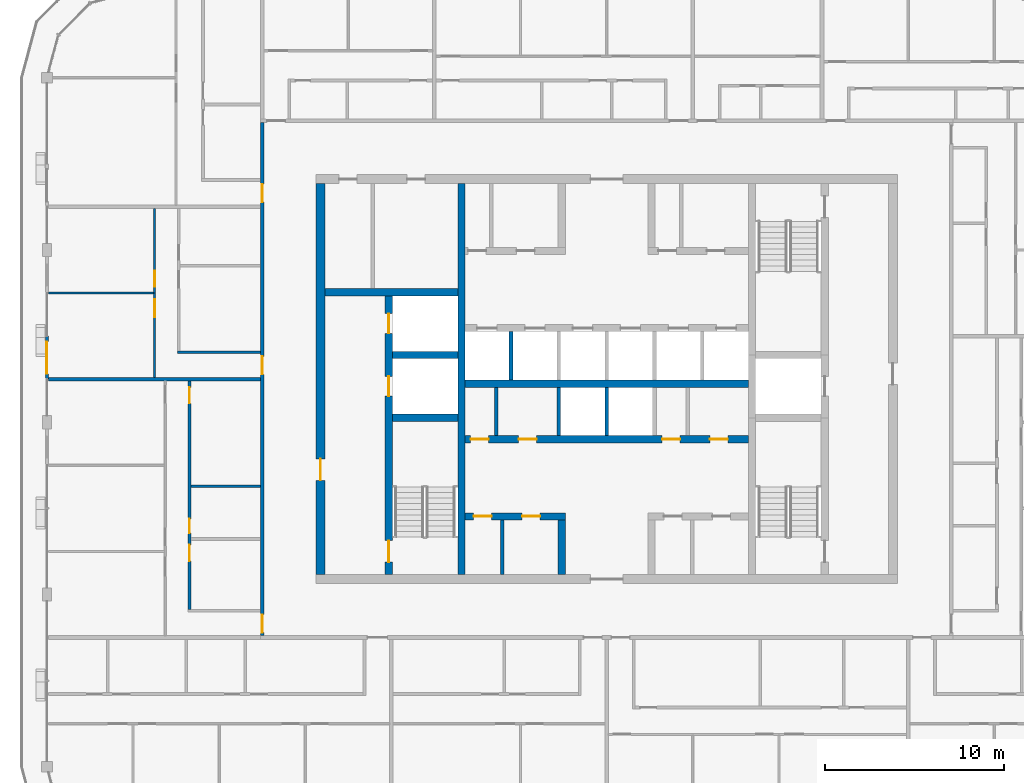
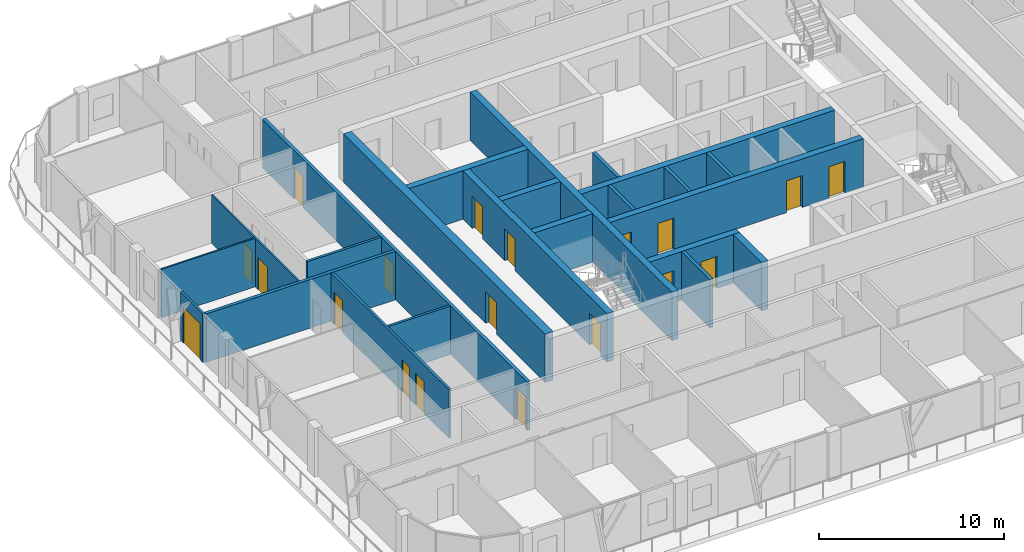
# One storey, part 10 of 21: 23 walls, 19 doors, 19 openings.
"""IFC4 building model written with IfcOpenShell, lengths in metres."""

import ifcopenshell
import ifcopenshell.guid

model = None  # the IFC model being written
_history = None  # IfcOwnerHistory: only IFC2X3 demands one
_inside = {}  # id of a spatial element -> (the spatial element, [elements in it])
_under = {}  # id of a project, library or spatial element -> (it, [spatial elements below it])
_declared = {}  # id of a project -> (the project, [libraries it declares])
_typed = {}  # id of a type object -> (the type object, [elements of that type])
_made_of = {}  # id of a material, layer set ... -> (it, [elements and type objects made of it])


def new_model(schema):
    """Start an empty IFC model of exactly this schema.

    Asked for "IFC4X3", IfcOpenShell would pick the latest addendum, in which some entities
    have other attributes; the version numbers below select the first issue.
    IFC2X3 requires an IfcOwnerHistory on every rooted entity: one is made here for all.
    """
    global model, _history
    if schema == "IFC4X3":
        model = ifcopenshell.file(schema_version=(4, 3, 0, 0))
    else:
        model = ifcopenshell.file(schema=schema)
    _inside.clear()
    _under.clear()
    _declared.clear()
    _typed.clear()
    _made_of.clear()
    _history = None
    if model.schema == "IFC2X3":
        org = make("IfcOrganization", Name="unknown")
        user = make(
            "IfcPersonAndOrganization",
            ThePerson=make("IfcPerson", FamilyName="unknown"),
            TheOrganization=org,
        )
        app = make(
            "IfcApplication",
            ApplicationDeveloper=org,
            Version="unknown",
            ApplicationFullName="unknown",
            ApplicationIdentifier="unknown",
        )
        _history = make(
            "IfcOwnerHistory",
            OwningUser=user,
            OwningApplication=app,
            ChangeAction="ADDED",
            CreationDate=0,
        )
    return model


def make(cls, **values):
    """One entity of the class cls with the attributes given. An attribute that is None is left unset."""
    return model.create_entity(
        cls, **{name: value for name, value in values.items() if value is not None}
    )


def rooted(cls, **values):
    """An entity with a GlobalId (a new one), such as an element, a storey or a relation."""
    return make(cls, GlobalId=ifcopenshell.guid.new(), OwnerHistory=_history, **values)


def si_unit(unit_type, name, prefix=None):
    """IfcSIUnit, for example si_unit("LENGTHUNIT", "METRE", prefix="MILLI")."""
    return make("IfcSIUnit", UnitType=unit_type, Prefix=prefix, Name=name)


def assignment(units):
    """IfcUnitAssignment: the units of a project."""
    return None if units is None else make("IfcUnitAssignment", Units=units)


def point(xyz):
    """IfcCartesianPoint."""
    return None if xyz is None else make("IfcCartesianPoint", Coordinates=xyz)


def direction(xyz):
    """IfcDirection."""
    return None if xyz is None else make("IfcDirection", DirectionRatios=xyz)


def frame(location, z_axis=None, x_axis=None):
    """IfcAxis2Placement3D, a coordinate frame: its origin and axes. An axis left out is left unset."""
    return make(
        "IfcAxis2Placement3D",
        Location=point(location),
        Axis=direction(z_axis),
        RefDirection=direction(x_axis),
    )


def frame_2d(location, x_axis=None):
    """IfcAxis2Placement2D, a coordinate frame in the plane: its origin and x axis."""
    return make(
        "IfcAxis2Placement2D", Location=point(location), RefDirection=direction(x_axis)
    )


def origin():
    """The frame at (0, 0, 0) with its axes left unset."""
    return frame((0.0, 0.0, 0.0))


def place(relative_to, where):
    """IfcLocalPlacement: puts the frame where relative to a parent placement (None: the world)."""
    return make(
        "IfcLocalPlacement", PlacementRelTo=relative_to, RelativePlacement=where
    )


def context(
    kind, dimensions, precision=None, world=None, true_north=None, identifier=None
):
    """IfcGeometricRepresentationContext, for example the 3D "Model" context."""
    return make(
        "IfcGeometricRepresentationContext",
        ContextIdentifier=identifier,
        ContextType=kind,
        CoordinateSpaceDimension=dimensions,
        Precision=precision,
        WorldCoordinateSystem=world,
        TrueNorth=true_north,
    )


def subcontext(parent, identifier, kind, view, scale=None):
    """IfcGeometricRepresentationSubContext, for example "Body" below "Model"."""
    return make(
        "IfcGeometricRepresentationSubContext",
        ContextIdentifier=identifier,
        ContextType=kind,
        ParentContext=parent,
        TargetScale=scale,
        TargetView=view,
    )


def project(units=None, contexts=None):
    """IfcProject with its units and contexts."""
    return rooted(
        "IfcProject",
        Name="project",
        RepresentationContexts=contexts,
        UnitsInContext=assignment(units),
    )


def spatial(cls, under=None, at=None, **own):
    """A site, building, storey or space (cls), placed at a placement, below another one or the project."""
    s = rooted(cls, ObjectPlacement=at, **own)
    if under is not None:
        _under.setdefault(under.id(), (under, []))[1].append(s)
    return s


def profile(cls, at=None, kind="AREA", **sizes):
    """A parametric profile (cls). Its sizes go by their IFC names, for example OverallWidth=200.0."""
    return make(cls, ProfileType=kind, Position=at, **sizes)


def rectangle(**sizes):
    """IfcRectangleProfileDef."""
    return profile("IfcRectangleProfileDef", **sizes)


def extrude(swept, where, along, depth):
    """IfcExtrudedAreaSolid: the profile swept, set in the frame where, extruded along a direction by depth."""
    return make(
        "IfcExtrudedAreaSolid",
        SweptArea=swept,
        Position=where,
        ExtrudedDirection=direction(along),
        Depth=depth,
    )


def shape(context_of_items, identifier, shape_type, items):
    """IfcShapeRepresentation: the items that make up one representation, for example the "Body"."""
    return make(
        "IfcShapeRepresentation",
        ContextOfItems=context_of_items,
        RepresentationIdentifier=identifier,
        RepresentationType=shape_type,
        Items=items,
    )


def material(Name=None, Category=None):
    """IfcMaterial."""
    return make("IfcMaterial", Name=Name, Category=Category)


def layer(
    of_material, thickness, ventilated=None, Name=None, Category=None, Priority=None
):
    """IfcMaterialLayer: one layer of a wall or slab, of a material (None: an air gap)."""
    return make(
        "IfcMaterialLayer",
        Material=of_material,
        LayerThickness=thickness,
        IsVentilated=ventilated,
        Name=Name,
        Category=Category,
        Priority=Priority,
    )


def layer_set(layers, Name=None):
    """IfcMaterialLayerSet."""
    return make("IfcMaterialLayerSet", MaterialLayers=layers, LayerSetName=Name)


def made_of(thing, what):
    """Note that an element or type object is made of a material, layer set ...; save() writes the relation."""
    if what is not None:
        _made_of.setdefault(what.id(), (what, []))[1].append(thing)
    return thing


def type_object(cls, material=None, **own):
    """A type object (cls), such as IfcWallType, which elements share."""
    return made_of(rooted(cls, **own), material)


def element(
    cls,
    number,
    at=None,
    inside=None,
    cuts=None,
    type_object=None,
    material=None,
    context=None,
    identifier="Body",
    shape_type=None,
    held_by="IfcProductDefinitionShape",
    body=None,
    shapes=None,
    **own,
):
    """One element of the class cls, such as IfcWall. Its Tag is "e" and its number.

    at: its placement. inside: the storey or other place that contains it. cuts: it is an
    opening in that element (IfcRelVoidsElement). A single representation is given by context,
    identifier, shape_type and body (its items); several are given by shapes. held_by: the class
    of the entity that holds the representations. save() writes the other relations.
    """
    e = rooted(cls, Tag="e%d" % number, ObjectPlacement=at, **own)
    if body is not None:
        shapes = [shape(context, identifier, shape_type, body)]
    if shapes is not None:
        e.Representation = make(held_by, Representations=shapes)
    if inside is not None:
        _inside.setdefault(inside.id(), (inside, []))[1].append(e)
    if cuts is not None:
        rooted(
            "IfcRelVoidsElement", RelatingBuildingElement=cuts, RelatedOpeningElement=e
        )
    if type_object is not None:
        _typed.setdefault(type_object.id(), (type_object, []))[1].append(e)
    return made_of(e, material)


def fill(opening, filler):
    """IfcRelFillsElement: the door or window that sits in an opening."""
    return rooted(
        "IfcRelFillsElement",
        RelatingOpeningElement=opening,
        RelatedBuildingElement=filler,
    )


def aggregate(whole, parts):
    """IfcRelAggregates: a whole, such as a stair, and the parts it consists of."""
    return rooted("IfcRelAggregates", RelatingObject=whole, RelatedObjects=parts)


def save(model, path):
    """Write the relations noted so far, then the file.

    IfcRelAggregates (storeys below a building ...), IfcRelContainedInSpatialStructure (elements
    in a storey), IfcRelDefinesByType, IfcRelAssociatesMaterial and IfcRelDeclares: one each for
    every whole, place, type object, material and project.
    """
    for whole, parts in _under.values():
        aggregate(whole, parts)
    for where, things in _inside.values():
        rooted(
            "IfcRelContainedInSpatialStructure",
            RelatedElements=things,
            RelatingStructure=where,
        )
    for kind, things in _typed.values():
        rooted("IfcRelDefinesByType", RelatedObjects=things, RelatingType=kind)
    for what, things in _made_of.values():
        rooted("IfcRelAssociatesMaterial", RelatedObjects=things, RelatingMaterial=what)
    for by, libraries in _declared.values():
        rooted("IfcRelDeclares", RelatingContext=by, RelatedDefinitions=libraries)
    model.write(path)


model = new_model("IFC4")

# Units and contexts
model_context = context("Model", 3, precision=1e-05, world=origin(), true_north=direction((0.0, 1.0)))
body_context = subcontext(model_context, "Body", "Model", "MODEL_VIEW")
ifc_project = project(units=[si_unit("LENGTHUNIT", "METRE"), si_unit("AREAUNIT", "SQUARE_METRE"), si_unit("VOLUMEUNIT", "CUBIC_METRE"), si_unit("PLANEANGLEUNIT", "RADIAN"), si_unit("MASSUNIT", "GRAM", prefix="KILO")], contexts=[model_context])

# Site, building, storey
site_placement = place(None, origin())
site = spatial("IfcSite", under=ifc_project, at=site_placement, CompositionType="ELEMENT")
building_placement = place(site_placement, origin())
building = spatial("IfcBuilding", under=site, at=building_placement, Name="Madar Terraces", CompositionType="ELEMENT")
storey_placement = place(building_placement, frame((0.0, 0.0, 268.60009765625)))
storey = spatial("IfcBuildingStorey", under=building, at=storey_placement, Name="L70", CompositionType="ELEMENT", Elevation=268.60009765625)

# Wall, openings, doors
ifc_material_1 = material(Name="Concrete C50/60", Category="concrete")
ifc_layer_1 = layer(ifc_material_1, 0.39990234375)
ifc_layer_set_1 = layer_set([ifc_layer_1], Name="Concrete C50/60 (CIW6 RC wall 400)")
wall_type_1 = type_object("IfcWallType", Name="CIW6 RC wall 400", PredefinedType="SHEAR", material=ifc_layer_set_1)
wall_1_placement = place(storey_placement, frame((19.050048828125, 15.5, 0.0), z_axis=(0.0, 0.0, 1.0), x_axis=(0.0, 1.0, 0.0)))
wall_1 = element("IfcWall", 1, at=wall_1_placement, inside=storey, type_object=wall_type_1, Name="CORE SHAFT WALL", PredefinedType="SHEAR", context=body_context, shape_type="SweptSolid", body=[
    extrude(rectangle(XDim=15.550048828125, YDim=0.39990234375, at=frame_2d((7.77490234375, 0.0))), origin(), (0.0, 0.0, 1.0), 3.199951171875),
])
opening_1_placement = place(wall_1_placement, frame((9.949951171875, 0.0, 0.0)))
opening_1 = element("IfcOpeningElement", 2, at=opening_1_placement, cuts=wall_1, Name="Opening LD", PredefinedType="OPENING", context=body_context, shape_type="SweptSolid", body=[
    extrude(rectangle(XDim=1.10009765625, YDim=2.10009765625, at=frame_2d((0.550048828125, 1.050048828125))), frame((0.0, 0.2099609375, 0.0), z_axis=(0.0, -1.0, 0.0), x_axis=(1.0, 0.0, 0.0)), (0.0, 0.0, 1.0), 0.419921875),
])
opening_2_placement = place(wall_1_placement, frame((13.449951171875, 0.0, 0.0)))
opening_2 = element("IfcOpeningElement", 3, at=opening_2_placement, cuts=wall_1, Name="Opening LD", PredefinedType="OPENING", context=body_context, shape_type="SweptSolid", body=[
    extrude(rectangle(XDim=1.10009765625, YDim=2.10009765625, at=frame_2d((0.550048828125, 1.050048828125))), frame((0.0, 0.2099609375, 0.0), z_axis=(0.0, -1.0, 0.0), x_axis=(1.0, 0.0, 0.0)), (0.0, 0.0, 1.0), 0.419921875),
])
opening_3_placement = place(wall_1_placement, frame((0.699951171875, 0.0, 0.0)))
opening_3 = element("IfcOpeningElement", 4, at=opening_3_placement, cuts=wall_1, Name="Opening SD1", PredefinedType="OPENING", context=body_context, shape_type="SweptSolid", body=[
    extrude(rectangle(XDim=1.199951171875, YDim=2.10009765625, at=frame_2d((0.60009765625, 1.050048828125))), frame((0.0, 0.2099609375, 0.0), z_axis=(0.0, -1.0, 0.0), x_axis=(1.0, 0.0, 0.0)), (0.0, 0.0, 1.0), 0.419921875),
])
ifc_material_2 = material(Name="Stainless steel panel", Category="steel")
door_type_1 = type_object("IfcDoorType", Name="Lift landing door 1100 x 2100", OperationType="DOUBLE_DOOR_SLIDING", PredefinedType="DOOR", material=ifc_material_2)
door_1_placement = place(opening_1_placement, origin())
door_1 = element("IfcDoor", 5, at=door_1_placement, inside=storey, type_object=door_type_1, Name="LIFT LANDING DOOR", OperationType="DOUBLE_DOOR_SLIDING", OverallHeight=2.10009765625, OverallWidth=1.10009765625, PredefinedType="DOOR", context=body_context, shape_type="SweptSolid", body=[
    extrude(rectangle(XDim=1.10009765625, YDim=2.10009765625, at=frame_2d((0.550048828125, 1.050048828125))), frame((0.0, 0.02490234375, 0.0), z_axis=(0.0, -1.0, 0.0), x_axis=(1.0, 0.0, 0.0)), (0.0, 0.0, 1.0), 0.050048828125),
])
fill(opening_1, door_1)
door_2_placement = place(opening_2_placement, origin())
door_2 = element("IfcDoor", 6, at=door_2_placement, inside=storey, type_object=door_type_1, Name="LIFT LANDING DOOR", OperationType="DOUBLE_DOOR_SLIDING", OverallHeight=2.10009765625, OverallWidth=1.10009765625, PredefinedType="DOOR", context=body_context, shape_type="SweptSolid", body=[
    extrude(rectangle(XDim=1.10009765625, YDim=2.10009765625, at=frame_2d((0.550048828125, 1.050048828125))), frame((0.0, 0.02490234375, 0.0), z_axis=(0.0, -1.0, 0.0), x_axis=(1.0, 0.0, 0.0)), (0.0, 0.0, 1.0), 0.050048828125),
])
fill(opening_2, door_2)
ifc_material_3 = material(Name="Steel door leaf", Category="steel")
door_type_2 = type_object("IfcDoorType", Name="Stair door 1200 x 2100", OperationType="NOTDEFINED", PredefinedType="DOOR", material=ifc_material_3)
door_3_placement = place(opening_3_placement, frame((1.199951171875, 0.0, 0.0), z_axis=(0.0, 0.0, 1.0), x_axis=(-1.0, 0.0, 0.0)))
door_3 = element("IfcDoor", 7, at=door_3_placement, inside=storey, type_object=door_type_2, Name="STAIR DOOR", OperationType="SINGLE_SWING_RIGHT", OverallHeight=2.10009765625, OverallWidth=1.199951171875, PredefinedType="DOOR", context=body_context, shape_type="SweptSolid", body=[
    extrude(rectangle(XDim=1.199951171875, YDim=2.10009765625, at=frame_2d((0.60009765625, 1.050048828125))), frame((0.0, 0.02490234375, 0.0), z_axis=(0.0, -1.0, 0.0), x_axis=(1.0, 0.0, 0.0)), (0.0, 0.0, 1.0), 0.050048828125),
])
fill(opening_3, door_3)

# Walls
wall_2_placement = place(storey_placement, frame((23.10009765625, 15.5, 0.0), z_axis=(0.0, 0.0, 1.0), x_axis=(0.0, 1.0, 0.0)))
element("IfcWall", 8, at=wall_2_placement, inside=storey, type_object=wall_type_1, Name="CORE SHAFT WALL", PredefinedType="SHEAR", context=body_context, shape_type="SweptSolid", body=[
    extrude(rectangle(XDim=21.800048828125, YDim=0.39990234375, at=frame_2d((10.89990234375, 0.0))), origin(), (0.0, 0.0, 1.0), 3.199951171875),
])
for number, where, z_axis, x_axis, name in (
    (9, (19.25, 24.25, 0.0), (0.0, 0.0, 1.0), (1.0, 0.0, 0.0), "CORE SHAFT WALL"),
    (10, (19.25, 27.75, 0.0), (0.0, 0.0, 1.0), (1.0, 0.0, 0.0), "CORE SHAFT WALL"),
):
    element("IfcWall", number, at=place(storey_placement, frame(where, z_axis=z_axis, x_axis=x_axis)), inside=storey, type_object=wall_type_1, Name=name, PredefinedType="SHEAR", context=body_context, shape_type="SweptSolid", body=[
        extrude(rectangle(XDim=3.64990234375, YDim=0.39990234375, at=frame_2d((1.824951171875, 0.0))), origin(), (0.0, 0.0, 1.0), 3.199951171875),
    ])
wall_3_placement = place(storey_placement, frame((15.5, 31.25, 0.0), z_axis=(0.0, 0.0, 1.0), x_axis=(1.0, 0.0, 0.0)))
element("IfcWall", 11, at=wall_3_placement, inside=storey, type_object=wall_type_1, Name="CORE SHAFT WALL", PredefinedType="SHEAR", context=body_context, shape_type="SweptSolid", body=[
    extrude(rectangle(XDim=7.39990234375, YDim=0.39990234375, at=frame_2d((3.699951171875, 0.0))), origin(), (0.0, 0.0, 1.0), 3.199951171875),
])

# Wall, openings, doors
wall_4_placement = place(storey_placement, frame((23.300048828125, 18.75, 0.0), z_axis=(0.0, 0.0, 1.0), x_axis=(1.0, 0.0, 0.0)))
wall_4 = element("IfcWall", 12, at=wall_4_placement, inside=storey, type_object=wall_type_1, Name="CORE SHAFT WALL", PredefinedType="SHEAR", context=body_context, shape_type="SweptSolid", body=[
    extrude(rectangle(XDim=5.599853515625, YDim=0.39990234375, at=frame_2d((2.7998046875, 0.0))), origin(), (0.0, 0.0, 1.0), 3.199951171875),
])
opening_4_placement = place(wall_4_placement, frame((0.489990234375, 0.0, 0.0)))
opening_4 = element("IfcOpeningElement", 13, at=opening_4_placement, cuts=wall_4, Name="Opening KD2", PredefinedType="OPENING", context=body_context, shape_type="SweptSolid", body=[
    extrude(rectangle(XDim=1.0, YDim=2.10009765625, at=frame_2d((0.5, 1.050048828125))), frame((0.0, 0.2099609375, 0.0), z_axis=(0.0, -1.0, 0.0), x_axis=(1.0, 0.0, 0.0)), (0.0, 0.0, 1.0), 0.419921875),
])
opening_5_placement = place(wall_4_placement, frame((3.18994140625, 0.0, 0.0)))
opening_5 = element("IfcOpeningElement", 14, at=opening_5_placement, cuts=wall_4, Name="Opening KD2", PredefinedType="OPENING", context=body_context, shape_type="SweptSolid", body=[
    extrude(rectangle(XDim=1.0, YDim=2.10009765625, at=frame_2d((0.5, 1.050048828125))), frame((0.0, 0.2099609375, 0.0), z_axis=(0.0, -1.0, 0.0), x_axis=(1.0, 0.0, 0.0)), (0.0, 0.0, 1.0), 0.419921875),
])
ifc_material_4 = material(Name="Steel door leaf", Category="steel")
door_type_3 = type_object("IfcDoorType", Name="Service room door 1000 x 2100", OperationType="NOTDEFINED", PredefinedType="DOOR", material=ifc_material_4)
door_4_placement = place(opening_4_placement, origin())
door_4 = element("IfcDoor", 15, at=door_4_placement, inside=storey, type_object=door_type_3, Name="SERVICE ROOM DOOR", OperationType="SINGLE_SWING_LEFT", OverallHeight=2.10009765625, OverallWidth=1.0, PredefinedType="DOOR", context=body_context, shape_type="SweptSolid", body=[
    extrude(rectangle(XDim=1.0, YDim=2.10009765625, at=frame_2d((0.5, 1.050048828125))), frame((0.0, 0.02490234375, 0.0), z_axis=(0.0, -1.0, 0.0), x_axis=(1.0, 0.0, 0.0)), (0.0, 0.0, 1.0), 0.050048828125),
])
fill(opening_4, door_4)
door_5_placement = place(opening_5_placement, origin())
door_5 = element("IfcDoor", 16, at=door_5_placement, inside=storey, type_object=door_type_3, Name="SERVICE ROOM DOOR", OperationType="SINGLE_SWING_RIGHT", OverallHeight=2.10009765625, OverallWidth=1.0, PredefinedType="DOOR", context=body_context, shape_type="SweptSolid", body=[
    extrude(rectangle(XDim=1.0, YDim=2.10009765625, at=frame_2d((0.5, 1.050048828125))), frame((0.0, 0.02490234375, 0.0), z_axis=(0.0, -1.0, 0.0), x_axis=(1.0, 0.0, 0.0)), (0.0, 0.0, 1.0), 0.050048828125),
])
fill(opening_5, door_5)

wall_5_placement = place(storey_placement, frame((23.300048828125, 23.050048828125, 0.0), z_axis=(0.0, 0.0, 1.0), x_axis=(1.0, 0.0, 0.0)))
wall_5 = element("IfcWall", 17, at=wall_5_placement, inside=storey, type_object=wall_type_1, Name="CORE SHAFT WALL", PredefinedType="SHEAR", context=body_context, shape_type="SweptSolid", body=[
    extrude(rectangle(XDim=15.800048828125, YDim=0.39990234375, at=frame_2d((7.89990234375, 0.0))), origin(), (0.0, 0.0, 1.0), 3.199951171875),
])
opening_6_placement = place(wall_5_placement, frame((0.32275390625, 0.0, 0.0)))
opening_6 = element("IfcOpeningElement", 18, at=opening_6_placement, cuts=wall_5, Name="Opening KD2", PredefinedType="OPENING", context=body_context, shape_type="SweptSolid", body=[
    extrude(rectangle(XDim=1.0, YDim=2.10009765625, at=frame_2d((0.5, 1.050048828125))), frame((0.0, 0.2099609375, 0.0), z_axis=(0.0, -1.0, 0.0), x_axis=(1.0, 0.0, 0.0)), (0.0, 0.0, 1.0), 0.419921875),
])
opening_7_placement = place(wall_5_placement, frame((2.9892578125, 0.0, 0.0)))
opening_7 = element("IfcOpeningElement", 19, at=opening_7_placement, cuts=wall_5, Name="Opening KD2", PredefinedType="OPENING", context=body_context, shape_type="SweptSolid", body=[
    extrude(rectangle(XDim=1.0, YDim=2.10009765625, at=frame_2d((0.5, 1.050048828125))), frame((0.0, 0.2099609375, 0.0), z_axis=(0.0, -1.0, 0.0), x_axis=(1.0, 0.0, 0.0)), (0.0, 0.0, 1.0), 0.419921875),
])
opening_8_placement = place(wall_5_placement, frame((10.9892578125, 0.0, 0.0)))
opening_8 = element("IfcOpeningElement", 20, at=opening_8_placement, cuts=wall_5, Name="Opening KD2", PredefinedType="OPENING", context=body_context, shape_type="SweptSolid", body=[
    extrude(rectangle(XDim=1.0, YDim=2.10009765625, at=frame_2d((0.5, 1.050048828125))), frame((0.0, 0.2099609375, 0.0), z_axis=(0.0, -1.0, 0.0), x_axis=(1.0, 0.0, 0.0)), (0.0, 0.0, 1.0), 0.419921875),
])
opening_9_placement = place(wall_5_placement, frame((13.656005859375, 0.0, 0.0)))
opening_9 = element("IfcOpeningElement", 21, at=opening_9_placement, cuts=wall_5, Name="Opening KD2", PredefinedType="OPENING", context=body_context, shape_type="SweptSolid", body=[
    extrude(rectangle(XDim=1.0, YDim=2.10009765625, at=frame_2d((0.5, 1.050048828125))), frame((0.0, 0.2099609375, 0.0), z_axis=(0.0, -1.0, 0.0), x_axis=(1.0, 0.0, 0.0)), (0.0, 0.0, 1.0), 0.419921875),
])
door_6_placement = place(opening_6_placement, frame((1.0, 0.0, 0.0), z_axis=(0.0, 0.0, 1.0), x_axis=(-1.0, 0.0, 0.0)))
door_6 = element("IfcDoor", 22, at=door_6_placement, inside=storey, type_object=door_type_3, Name="SERVICE ROOM DOOR", OperationType="SINGLE_SWING_LEFT", OverallHeight=2.10009765625, OverallWidth=1.0, PredefinedType="DOOR", context=body_context, shape_type="SweptSolid", body=[
    extrude(rectangle(XDim=1.0, YDim=2.10009765625, at=frame_2d((0.5, 1.050048828125))), frame((0.0, 0.02490234375, 0.0), z_axis=(0.0, -1.0, 0.0), x_axis=(1.0, 0.0, 0.0)), (0.0, 0.0, 1.0), 0.050048828125),
])
fill(opening_6, door_6)
door_7_placement = place(opening_7_placement, frame((1.0, 0.0, 0.0), z_axis=(0.0, 0.0, 1.0), x_axis=(-1.0, 0.0, 0.0)))
door_7 = element("IfcDoor", 23, at=door_7_placement, inside=storey, type_object=door_type_3, Name="SERVICE ROOM DOOR", OperationType="SINGLE_SWING_RIGHT", OverallHeight=2.10009765625, OverallWidth=1.0, PredefinedType="DOOR", context=body_context, shape_type="SweptSolid", body=[
    extrude(rectangle(XDim=1.0, YDim=2.10009765625, at=frame_2d((0.5, 1.050048828125))), frame((0.0, 0.02490234375, 0.0), z_axis=(0.0, -1.0, 0.0), x_axis=(1.0, 0.0, 0.0)), (0.0, 0.0, 1.0), 0.050048828125),
])
fill(opening_7, door_7)
door_8_placement = place(opening_8_placement, frame((1.0, 0.0, 0.0), z_axis=(0.0, 0.0, 1.0), x_axis=(-1.0, 0.0, 0.0)))
door_8 = element("IfcDoor", 24, at=door_8_placement, inside=storey, type_object=door_type_3, Name="SERVICE ROOM DOOR", OperationType="SINGLE_SWING_LEFT", OverallHeight=2.10009765625, OverallWidth=1.0, PredefinedType="DOOR", context=body_context, shape_type="SweptSolid", body=[
    extrude(rectangle(XDim=1.0, YDim=2.10009765625, at=frame_2d((0.5, 1.050048828125))), frame((0.0, 0.02490234375, 0.0), z_axis=(0.0, -1.0, 0.0), x_axis=(1.0, 0.0, 0.0)), (0.0, 0.0, 1.0), 0.050048828125),
])
fill(opening_8, door_8)
door_9_placement = place(opening_9_placement, frame((1.0, 0.0, 0.0), z_axis=(0.0, 0.0, 1.0), x_axis=(-1.0, 0.0, 0.0)))
door_9 = element("IfcDoor", 25, at=door_9_placement, inside=storey, type_object=door_type_3, Name="SERVICE ROOM DOOR", OperationType="SINGLE_SWING_RIGHT", OverallHeight=2.10009765625, OverallWidth=1.0, PredefinedType="DOOR", context=body_context, shape_type="SweptSolid", body=[
    extrude(rectangle(XDim=1.0, YDim=2.10009765625, at=frame_2d((0.5, 1.050048828125))), frame((0.0, 0.02490234375, 0.0), z_axis=(0.0, -1.0, 0.0), x_axis=(1.0, 0.0, 0.0)), (0.0, 0.0, 1.0), 0.050048828125),
])
fill(opening_9, door_9)

# Walls
wall_6_placement = place(storey_placement, frame((23.300048828125, 26.14990234375, 0.0), z_axis=(0.0, 0.0, 1.0), x_axis=(1.0, 0.0, 0.0)))
element("IfcWall", 26, at=wall_6_placement, inside=storey, type_object=wall_type_1, Name="CORE SHAFT WALL", PredefinedType="SHEAR", context=body_context, shape_type="SweptSolid", body=[
    extrude(rectangle(XDim=15.800048828125, YDim=0.39990234375, at=frame_2d((7.89990234375, 0.0))), origin(), (0.0, 0.0, 1.0), 3.199951171875),
])
wall_7_placement = place(storey_placement, frame((28.699951171875, 15.5, 0.0), z_axis=(0.0, 0.0, 1.0), x_axis=(0.0, 1.0, 0.0)))
element("IfcWall", 27, at=wall_7_placement, inside=storey, type_object=wall_type_1, Name="CORE SHAFT WALL", PredefinedType="SHEAR", context=body_context, shape_type="SweptSolid", body=[
    extrude(rectangle(XDim=3.050048828125, YDim=0.39990234375, at=frame_2d((1.52490234375, 0.0))), origin(), (0.0, 0.0, 1.0), 3.199951171875),
])

# Wall, opening, door
ifc_material_5 = material(Name="Concrete C50/60", Category="concrete")
ifc_layer_2 = layer(ifc_material_5, 0.5)
ifc_layer_set_2 = layer_set([ifc_layer_2], Name="Concrete C50/60 (CRW6 RC wall 500)")
wall_type_2 = type_object("IfcWallType", Name="CRW6 RC wall 500", PredefinedType="SHEAR", material=ifc_layer_set_2)
wall_8_placement = place(storey_placement, frame((15.25, 15.5, 0.0), z_axis=(0.0, 0.0, 1.0), x_axis=(0.0, 1.0, 0.0)))
wall_8 = element("IfcWall", 28, at=wall_8_placement, inside=storey, type_object=wall_type_2, Name="CORE OUTER WALL", PredefinedType="SHEAR", context=body_context, shape_type="SweptSolid", body=[
    extrude(rectangle(XDim=21.800048828125, YDim=0.5, at=frame_2d((10.89990234375, 0.0))), origin(), (0.0, 0.0, 1.0), 3.199951171875),
])
opening_10_placement = place(wall_8_placement, frame((5.260009765625, 0.0, 0.0)))
opening_10 = element("IfcOpeningElement", 29, at=opening_10_placement, cuts=wall_8, Name="Opening SD1", PredefinedType="OPENING", context=body_context, shape_type="SweptSolid", body=[
    extrude(rectangle(XDim=1.199951171875, YDim=2.10009765625, at=frame_2d((0.60009765625, 1.050048828125))), frame((0.0, 0.260009765625, 0.0), z_axis=(0.0, -1.0, 0.0), x_axis=(1.0, 0.0, 0.0)), (0.0, 0.0, 1.0), 0.52001953125),
])
door_10_placement = place(opening_10_placement, frame((1.199951171875, 0.0, 0.0), z_axis=(0.0, 0.0, 1.0), x_axis=(-1.0, 0.0, 0.0)))
door_10 = element("IfcDoor", 30, at=door_10_placement, inside=storey, type_object=door_type_2, Name="STAIR DOOR", OperationType="SINGLE_SWING_LEFT", OverallHeight=2.10009765625, OverallWidth=1.199951171875, PredefinedType="DOOR", context=body_context, shape_type="SweptSolid", body=[
    extrude(rectangle(XDim=1.199951171875, YDim=2.10009765625, at=frame_2d((0.60009765625, 1.050048828125))), frame((0.0, 0.02490234375, 0.0), z_axis=(0.0, -1.0, 0.0), x_axis=(1.0, 0.0, 0.0)), (0.0, 0.0, 1.0), 0.050048828125),
])
fill(opening_10, door_10)

# Walls
ifc_material_6 = material(Name="Masonry blockwork", Category="masonry")
ifc_layer_3 = layer(ifc_material_6, 0.199951171875)
ifc_layer_set_3 = layer_set([ifc_layer_3], Name="Core partition 200 blockwork")
wall_type_3 = type_object("IfcWallType", Name="Core partition 200 blockwork", PredefinedType="PARTITIONING", material=ifc_layer_set_3)
wall_9_placement = place(storey_placement, frame((25.04541015625, 23.25, 0.0), z_axis=(0.0, 0.0, 1.0), x_axis=(0.0, 1.0, 0.0)))
element("IfcWall", 31, at=wall_9_placement, inside=storey, type_object=wall_type_3, Name="SERVICE ROOM PARTITION", PredefinedType="PARTITIONING", context=body_context, shape_type="SweptSolid", body=[
    extrude(rectangle(XDim=2.699951171875, YDim=0.199951171875, at=frame_2d((1.35009765625, 0.0))), origin(), (0.0, 0.0, 1.0), 3.199951171875),
])
wall_10_placement = place(storey_placement, frame((25.3798828125, 15.5, 0.0), z_axis=(0.0, 0.0, 1.0), x_axis=(0.0, 1.0, 0.0)))
element("IfcWall", 32, at=wall_10_placement, inside=storey, type_object=wall_type_3, Name="SERVICE ROOM PARTITION", PredefinedType="PARTITIONING", context=body_context, shape_type="SweptSolid", body=[
    extrude(rectangle(XDim=3.050048828125, YDim=0.199951171875, at=frame_2d((1.52490234375, 0.0))), origin(), (0.0, 0.0, 1.0), 3.199951171875),
])
ifc_material_7 = material(Name="Concrete C40/50", Category="concrete")
ifc_layer_4 = layer(ifc_material_7, 0.199951171875)
ifc_layer_set_4 = layer_set([ifc_layer_4], Name="Core shaft dividing wall 200 C40/50")
wall_type_4 = type_object("IfcWallType", Name="Core shaft dividing wall 200 C40/50", PredefinedType="SOLIDWALL", material=ifc_layer_set_4)
for number, where, z_axis, x_axis, name in (
    (33, (25.86669921875, 26.35009765625, 0.0), (0.0, 0.0, 1.0), (0.0, 1.0, 0.0), "SHAFT DIVIDING WALL"),
    (34, (28.533447265625, 23.25, 0.0), (0.0, 0.0, 1.0), (0.0, 1.0, 0.0), "SHAFT DIVIDING WALL"),
    (35, (31.199951171875, 23.25, 0.0), (0.0, 0.0, 1.0), (0.0, 1.0, 0.0), "SHAFT DIVIDING WALL"),
):
    element("IfcWall", number, at=place(storey_placement, frame(where, z_axis=z_axis, x_axis=x_axis)), inside=storey, type_object=wall_type_4, Name=name, PredefinedType="SOLIDWALL", context=body_context, shape_type="SweptSolid", body=[
        extrude(rectangle(XDim=2.699951171875, YDim=0.199951171875, at=frame_2d((1.35009765625, 0.0))), origin(), (0.0, 0.0, 1.0), 3.199951171875),
    ])

# Wall, opening, door
ifc_material_8 = material(Name="Aluminium composite panel, black, over insulated backing", Category="aluminium")
ifc_layer_5 = layer(ifc_material_8, 0.14990234375)
ifc_layer_set_5 = layer_set([ifc_layer_5], Name="Facade bay panel 150")
wall_type_5 = type_object("IfcWallType", Name="Facade bay panel 150", PredefinedType="SOLIDWALL", material=ifc_layer_set_5)
wall_11_placement = place(storey_placement, frame((0.0, 28.800048828125, 0.0), z_axis=(0.0, 0.0, 1.0), x_axis=(0.0, -1.0, 0.0)))
wall_11 = element("IfcWall", 36, at=wall_11_placement, inside=storey, type_object=wall_type_5, Name="Facade bay panel", PredefinedType="SOLIDWALL", context=body_context, shape_type="SweptSolid", body=[
    extrude(rectangle(XDim=2.400146484375, YDim=0.14990234375, at=frame_2d((1.2001953125, 0.0))), origin(), (0.0, 0.0, 1.0), 3.199951171875),
])
opening_11_placement = place(wall_11_placement, frame((0.300048828125, 0.0, 0.0)))
opening_11 = element("IfcOpeningElement", 37, at=opening_11_placement, cuts=wall_11, Name="Opening ED1", PredefinedType="OPENING", context=body_context, shape_type="SweptSolid", body=[
    extrude(rectangle(XDim=1.800048828125, YDim=2.39990234375, at=frame_2d((0.89990234375, 1.199951171875))), frame((0.0, 0.0849609375, 0.0), z_axis=(0.0, -1.0, 0.0), x_axis=(1.0, 0.0, 0.0)), (0.0, 0.0, 1.0), 0.169921875),
])
ifc_material_9 = material(Name="Glass, clear, with black aluminium frame", Category="aluminium")
door_type_4 = type_object("IfcDoorType", Name="Balcony and terrace sliding door 1800 x 2400", OperationType="SLIDING_TO_LEFT", PredefinedType="DOOR", material=ifc_material_9)
door_11_placement = place(opening_11_placement, origin())
door_11 = element("IfcDoor", 38, at=door_11_placement, inside=storey, type_object=door_type_4, Name="Balcony door", OperationType="SLIDING_TO_RIGHT", OverallHeight=2.39990234375, OverallWidth=1.800048828125, PredefinedType="DOOR", context=body_context, shape_type="SweptSolid", body=[
    extrude(rectangle(XDim=1.800048828125, YDim=2.39990234375, at=frame_2d((0.89990234375, 1.199951171875))), frame((0.0, 0.02490234375, 0.0), z_axis=(0.0, -1.0, 0.0), x_axis=(1.0, 0.0, 0.0)), (0.0, 0.0, 1.0), 0.050048828125),
])
fill(opening_11, door_11)

# Wall
ifc_material_10 = material(Name="Gypsum board on steel studs", Category="steel")
ifc_layer_6 = layer(ifc_material_10, 0.10009765625)
ifc_layer_set_6 = layer_set([ifc_layer_6], Name="Flat partition 100")
wall_type_6 = type_object("IfcWallType", Name="Flat partition 100", PredefinedType="PARTITIONING", material=ifc_layer_set_6)
wall_12_placement = place(storey_placement, frame((5.949951171875, 31.199951171875, 0.0), z_axis=(0.0, 0.0, 1.0), x_axis=(-1.0, 0.0, 0.0)))
element("IfcWall", 39, at=wall_12_placement, inside=storey, type_object=wall_type_6, Name="Flat partition 100", PredefinedType="PARTITIONING", context=body_context, shape_type="SweptSolid", body=[
    extrude(rectangle(XDim=5.849853515625, YDim=0.10009765625, at=frame_2d((2.9248046875, 0.0))), origin(), (0.0, 0.0, 1.0), 3.199951171875),
])

# Wall, openings, doors
wall_13_placement = place(storey_placement, frame((6.0, 26.5, 0.0), z_axis=(0.0, 0.0, 1.0), x_axis=(0.0, 1.0, 0.0)))
wall_13 = element("IfcWall", 40, at=wall_13_placement, inside=storey, type_object=wall_type_6, Name="Flat partition 100", PredefinedType="PARTITIONING", context=body_context, shape_type="SweptSolid", body=[
    extrude(rectangle(XDim=9.39990234375, YDim=0.10009765625, at=frame_2d((4.699951171875, 0.0))), origin(), (0.0, 0.0, 1.0), 3.199951171875),
])
opening_12_placement = place(wall_13_placement, frame((3.35009765625, 0.0, 0.0)))
opening_12 = element("IfcOpeningElement", 41, at=opening_12_placement, cuts=wall_13, Name="Opening D3", PredefinedType="OPENING", context=body_context, shape_type="SweptSolid", body=[
    extrude(rectangle(XDim=1.0, YDim=2.10009765625, at=frame_2d((0.5, 1.050048828125))), frame((0.0, 0.06005859375, 0.0), z_axis=(0.0, -1.0, 0.0), x_axis=(1.0, 0.0, 0.0)), (0.0, 0.0, 1.0), 0.1201171875),
])
opening_13_placement = place(wall_13_placement, frame((5.050048828125, 0.0, 0.0)))
opening_13 = element("IfcOpeningElement", 42, at=opening_13_placement, cuts=wall_13, Name="Opening D2", PredefinedType="OPENING", context=body_context, shape_type="SweptSolid", body=[
    extrude(rectangle(XDim=0.89990234375, YDim=2.10009765625, at=frame_2d((0.449951171875, 1.050048828125))), frame((0.0, 0.06005859375, 0.0), z_axis=(0.0, -1.0, 0.0), x_axis=(1.0, 0.0, 0.0)), (0.0, 0.0, 1.0), 0.1201171875),
])
ifc_material_11 = material(Name="Timber door leaf", Category="wood")
door_type_5 = type_object("IfcDoorType", Name="Flat living room door 1000", OperationType="NOTDEFINED", PredefinedType="DOOR", material=ifc_material_11)
door_12_placement = place(opening_12_placement, origin())
door_12 = element("IfcDoor", 43, at=door_12_placement, inside=storey, type_object=door_type_5, Name="Flat living room door 1000", OperationType="SINGLE_SWING_RIGHT", OverallHeight=2.10009765625, OverallWidth=1.0, PredefinedType="DOOR", context=body_context, shape_type="SweptSolid", body=[
    extrude(rectangle(XDim=1.0, YDim=2.10009765625, at=frame_2d((0.5, 1.050048828125))), frame((0.0, 0.02490234375, 0.0), z_axis=(0.0, -1.0, 0.0), x_axis=(1.0, 0.0, 0.0)), (0.0, 0.0, 1.0), 0.050048828125),
])
fill(opening_12, door_12)
ifc_material_12 = material(Name="Timber door leaf", Category="wood")
door_type_6 = type_object("IfcDoorType", Name="Flat room door 900", OperationType="NOTDEFINED", PredefinedType="DOOR", material=ifc_material_12)
door_13_placement = place(opening_13_placement, origin())
door_13 = element("IfcDoor", 44, at=door_13_placement, inside=storey, type_object=door_type_6, Name="Flat room door 900", OperationType="SINGLE_SWING_LEFT", OverallHeight=2.10009765625, OverallWidth=0.89990234375, PredefinedType="DOOR", context=body_context, shape_type="SweptSolid", body=[
    extrude(rectangle(XDim=0.89990234375, YDim=2.10009765625, at=frame_2d((0.449951171875, 1.050048828125))), frame((0.0, 0.02490234375, 0.0), z_axis=(0.0, -1.0, 0.0), x_axis=(1.0, 0.0, 0.0)), (0.0, 0.0, 1.0), 0.050048828125),
])
fill(opening_13, door_13)

ifc_material_13 = material(Name="Lightweight blockwork", Category="masonry")
ifc_layer_7 = layer(ifc_material_13, 0.199951171875)
ifc_layer_set_7 = layer_set([ifc_layer_7], Name="Flat party and entrance wall 200")
wall_type_7 = type_object("IfcWallType", Name="Flat party and entrance wall 200", PredefinedType="PARTITIONING", material=ifc_layer_set_7)
wall_14_placement = place(storey_placement, frame((12.0, 12.10009765625, 0.0), z_axis=(0.0, 0.0, 1.0), x_axis=(0.0, 1.0, 0.0)))
wall_14 = element("IfcWall", 45, at=wall_14_placement, inside=storey, type_object=wall_type_7, Name="Flat party and entrance wall 200", PredefinedType="PARTITIONING", context=body_context, shape_type="SweptSolid", body=[
    extrude(rectangle(XDim=28.599853515625, YDim=0.199951171875, at=frame_2d((14.2998046875, 0.0))), origin(), (0.0, 0.0, 1.0), 3.199951171875),
])
opening_14_placement = place(wall_14_placement, frame((24.175048828125, 0.0, 0.0)))
opening_14 = element("IfcOpeningElement", 46, at=opening_14_placement, cuts=wall_14, Name="Opening D1", PredefinedType="OPENING", context=body_context, shape_type="SweptSolid", body=[
    extrude(rectangle(XDim=1.0, YDim=2.10009765625, at=frame_2d((0.5, 1.050048828125))), frame((0.0, 0.10986328125, 0.0), z_axis=(0.0, -1.0, 0.0), x_axis=(1.0, 0.0, 0.0)), (0.0, 0.0, 1.0), 0.219970703125),
])
opening_15_placement = place(wall_14_placement, frame((14.574951171875, 0.0, 0.0)))
opening_15 = element("IfcOpeningElement", 47, at=opening_15_placement, cuts=wall_14, Name="Opening D1", PredefinedType="OPENING", context=body_context, shape_type="SweptSolid", body=[
    extrude(rectangle(XDim=1.0, YDim=2.10009765625, at=frame_2d((0.5, 1.050048828125))), frame((0.0, 0.10986328125, 0.0), z_axis=(0.0, -1.0, 0.0), x_axis=(1.0, 0.0, 0.0)), (0.0, 0.0, 1.0), 0.219970703125),
])
opening_16_placement = place(wall_14_placement, frame((0.175048828125, 0.0, 0.0)))
opening_16 = element("IfcOpeningElement", 48, at=opening_16_placement, cuts=wall_14, Name="Opening D1", PredefinedType="OPENING", context=body_context, shape_type="SweptSolid", body=[
    extrude(rectangle(XDim=1.0, YDim=2.10009765625, at=frame_2d((0.5, 1.050048828125))), frame((0.0, 0.10986328125, 0.0), z_axis=(0.0, -1.0, 0.0), x_axis=(1.0, 0.0, 0.0)), (0.0, 0.0, 1.0), 0.219970703125),
])
ifc_material_14 = material(Name="Timber fire door leaf", Category="wood")
door_type_7 = type_object("IfcDoorType", Name="Flat entrance door 1000 FD30S", OperationType="NOTDEFINED", PredefinedType="DOOR", material=ifc_material_14)
door_14_placement = place(opening_14_placement, origin())
door_14 = element("IfcDoor", 49, at=door_14_placement, inside=storey, type_object=door_type_7, Name="Flat entrance door 1000 FD30S", OperationType="SINGLE_SWING_LEFT", OverallHeight=2.10009765625, OverallWidth=1.0, PredefinedType="DOOR", context=body_context, shape_type="SweptSolid", body=[
    extrude(rectangle(XDim=1.0, YDim=2.10009765625, at=frame_2d((0.5, 1.050048828125))), frame((0.0, 0.02490234375, 0.0), z_axis=(0.0, -1.0, 0.0), x_axis=(1.0, 0.0, 0.0)), (0.0, 0.0, 1.0), 0.050048828125),
])
fill(opening_14, door_14)
door_15_placement = place(opening_15_placement, origin())
door_15 = element("IfcDoor", 50, at=door_15_placement, inside=storey, type_object=door_type_7, Name="Flat entrance door 1000 FD30S", OperationType="SINGLE_SWING_LEFT", OverallHeight=2.10009765625, OverallWidth=1.0, PredefinedType="DOOR", context=body_context, shape_type="SweptSolid", body=[
    extrude(rectangle(XDim=1.0, YDim=2.10009765625, at=frame_2d((0.5, 1.050048828125))), frame((0.0, 0.02490234375, 0.0), z_axis=(0.0, -1.0, 0.0), x_axis=(1.0, 0.0, 0.0)), (0.0, 0.0, 1.0), 0.050048828125),
])
fill(opening_15, door_15)
door_16_placement = place(opening_16_placement, origin())
door_16 = element("IfcDoor", 51, at=door_16_placement, inside=storey, type_object=door_type_7, Name="Flat entrance door 1000 FD30S", OperationType="SINGLE_SWING_LEFT", OverallHeight=2.10009765625, OverallWidth=1.0, PredefinedType="DOOR", context=body_context, shape_type="SweptSolid", body=[
    extrude(rectangle(XDim=1.0, YDim=2.10009765625, at=frame_2d((0.5, 1.050048828125))), frame((0.0, 0.02490234375, 0.0), z_axis=(0.0, -1.0, 0.0), x_axis=(1.0, 0.0, 0.0)), (0.0, 0.0, 1.0), 0.050048828125),
])
fill(opening_16, door_16)

# Walls
wall_15_placement = place(storey_placement, frame((0.10009765625, 26.39990234375, 0.0), z_axis=(0.0, 0.0, 1.0), x_axis=(1.0, 0.0, 0.0)))
element("IfcWall", 52, at=wall_15_placement, inside=storey, type_object=wall_type_7, Name="Flat party and entrance wall 200", PredefinedType="PARTITIONING", context=body_context, shape_type="SweptSolid", body=[
    extrude(rectangle(XDim=11.7998046875, YDim=0.199951171875, at=frame_2d((5.89990234375, 0.0))), origin(), (0.0, 0.0, 1.0), 3.199951171875),
])
ifc_material_15 = material(Name="Lightweight blockwork", Category="masonry")
ifc_layer_8 = layer(ifc_material_15, 0.14990234375)
ifc_layer_set_8 = layer_set([ifc_layer_8], Name="Flat wet-room partition 150")
wall_type_8 = type_object("IfcWallType", Name="Flat wet-room partition 150", PredefinedType="PARTITIONING", material=ifc_layer_set_8)
wall_16_placement = place(storey_placement, frame((11.89990234375, 27.89990234375, 0.0), z_axis=(0.0, 0.0, 1.0), x_axis=(-1.0, 0.0, 0.0)))
element("IfcWall", 53, at=wall_16_placement, inside=storey, type_object=wall_type_8, Name="Flat wet-room partition 150", PredefinedType="PARTITIONING", context=body_context, shape_type="SweptSolid", body=[
    extrude(rectangle(XDim=4.625, YDim=0.14990234375, at=frame_2d((2.3125, 0.0))), origin(), (0.0, 0.0, 1.0), 3.199951171875),
])
wall_17_placement = place(storey_placement, frame((11.89990234375, 20.427001953125, 0.0), z_axis=(0.0, 0.0, 1.0), x_axis=(-1.0, 0.0, 0.0)))
element("IfcWall", 54, at=wall_17_placement, inside=storey, type_object=wall_type_8, Name="Flat wet-room partition 150", PredefinedType="PARTITIONING", context=body_context, shape_type="SweptSolid", body=[
    extrude(rectangle(XDim=3.875, YDim=0.14990234375, at=frame_2d((1.9375, 0.0))), origin(), (0.0, 0.0, 1.0), 3.199951171875),
])

# Wall, openings, doors
wall_18_placement = place(storey_placement, frame((7.949951171875, 26.300048828125, 0.0), z_axis=(0.0, 0.0, 1.0), x_axis=(0.0, -1.0, 0.0)))
wall_18 = element("IfcWall", 55, at=wall_18_placement, inside=storey, type_object=wall_type_8, Name="Flat wet-room partition 150", PredefinedType="PARTITIONING", context=body_context, shape_type="SweptSolid", body=[
    extrude(rectangle(XDim=12.72509765625, YDim=0.14990234375, at=frame_2d((6.362548828125, 0.0))), origin(), (0.0, 0.0, 1.0), 3.199951171875),
])
opening_17_placement = place(wall_18_placement, frame((9.134521484375, 0.0, 0.0)))
opening_17 = element("IfcOpeningElement", 56, at=opening_17_placement, cuts=wall_18, Name="Opening D5", PredefinedType="OPENING", context=body_context, shape_type="SweptSolid", body=[
    extrude(rectangle(XDim=0.89990234375, YDim=2.10009765625, at=frame_2d((0.449951171875, 1.050048828125))), frame((0.0, 0.0849609375, 0.0), z_axis=(0.0, -1.0, 0.0), x_axis=(1.0, 0.0, 0.0)), (0.0, 0.0, 1.0), 0.169921875),
])
opening_18_placement = place(wall_18_placement, frame((7.6845703125, 0.0, 0.0)))
opening_18 = element("IfcOpeningElement", 57, at=opening_18_placement, cuts=wall_18, Name="Opening D4", PredefinedType="OPENING", context=body_context, shape_type="SweptSolid", body=[
    extrude(rectangle(XDim=0.800048828125, YDim=2.10009765625, at=frame_2d((0.39990234375, 1.050048828125))), frame((0.0, 0.0849609375, 0.0), z_axis=(0.0, -1.0, 0.0), x_axis=(1.0, 0.0, 0.0)), (0.0, 0.0, 1.0), 0.169921875),
])
opening_19_placement = place(wall_18_placement, frame((0.35009765625, 0.0, 0.0)))
opening_19 = element("IfcOpeningElement", 58, at=opening_19_placement, cuts=wall_18, Name="Opening D2", PredefinedType="OPENING", context=body_context, shape_type="SweptSolid", body=[
    extrude(rectangle(XDim=0.89990234375, YDim=2.10009765625, at=frame_2d((0.449951171875, 1.050048828125))), frame((0.0, 0.0849609375, 0.0), z_axis=(0.0, -1.0, 0.0), x_axis=(1.0, 0.0, 0.0)), (0.0, 0.0, 1.0), 0.169921875),
])
ifc_material_16 = material(Name="Timber door leaf", Category="wood")
door_type_8 = type_object("IfcDoorType", Name="Flat accessible bathroom door 900", OperationType="NOTDEFINED", PredefinedType="DOOR", material=ifc_material_16)
door_17_placement = place(opening_17_placement, origin())
door_17 = element("IfcDoor", 59, at=door_17_placement, inside=storey, type_object=door_type_8, Name="Flat accessible bathroom door 900", OperationType="SINGLE_SWING_LEFT", OverallHeight=2.10009765625, OverallWidth=0.89990234375, PredefinedType="DOOR", context=body_context, shape_type="SweptSolid", body=[
    extrude(rectangle(XDim=0.89990234375, YDim=2.10009765625, at=frame_2d((0.449951171875, 1.050048828125))), frame((0.0, 0.02490234375, 0.0), z_axis=(0.0, -1.0, 0.0), x_axis=(1.0, 0.0, 0.0)), (0.0, 0.0, 1.0), 0.050048828125),
])
fill(opening_17, door_17)
ifc_material_17 = material(Name="Timber door leaf", Category="wood")
door_type_9 = type_object("IfcDoorType", Name="Flat bathroom door 800", OperationType="NOTDEFINED", PredefinedType="DOOR", material=ifc_material_17)
door_18_placement = place(opening_18_placement, origin())
door_18 = element("IfcDoor", 60, at=door_18_placement, inside=storey, type_object=door_type_9, Name="Flat bathroom door 800", OperationType="SINGLE_SWING_RIGHT", OverallHeight=2.10009765625, OverallWidth=0.800048828125, PredefinedType="DOOR", context=body_context, shape_type="SweptSolid", body=[
    extrude(rectangle(XDim=0.800048828125, YDim=2.10009765625, at=frame_2d((0.39990234375, 1.050048828125))), frame((0.0, 0.02490234375, 0.0), z_axis=(0.0, -1.0, 0.0), x_axis=(1.0, 0.0, 0.0)), (0.0, 0.0, 1.0), 0.050048828125),
])
fill(opening_18, door_18)
door_19_placement = place(opening_19_placement, origin())
door_19 = element("IfcDoor", 61, at=door_19_placement, inside=storey, type_object=door_type_6, Name="Flat room door 900", OperationType="SINGLE_SWING_LEFT", OverallHeight=2.10009765625, OverallWidth=0.89990234375, PredefinedType="DOOR", context=body_context, shape_type="SweptSolid", body=[
    extrude(rectangle(XDim=0.89990234375, YDim=2.10009765625, at=frame_2d((0.449951171875, 1.050048828125))), frame((0.0, 0.02490234375, 0.0), z_axis=(0.0, -1.0, 0.0), x_axis=(1.0, 0.0, 0.0)), (0.0, 0.0, 1.0), 0.050048828125),
])
fill(opening_19, door_19)

save(model, "model.ifc")
